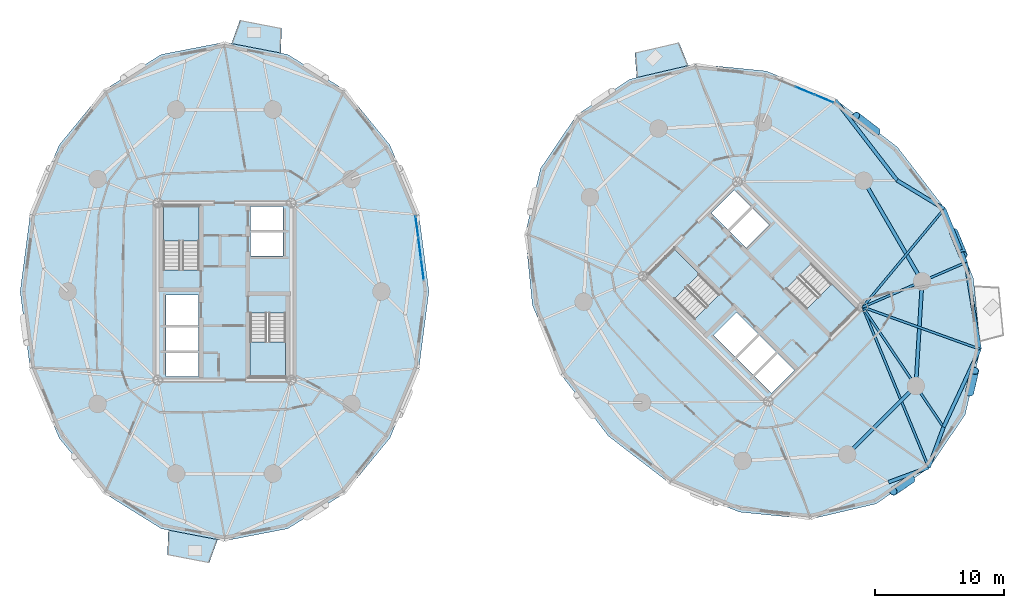
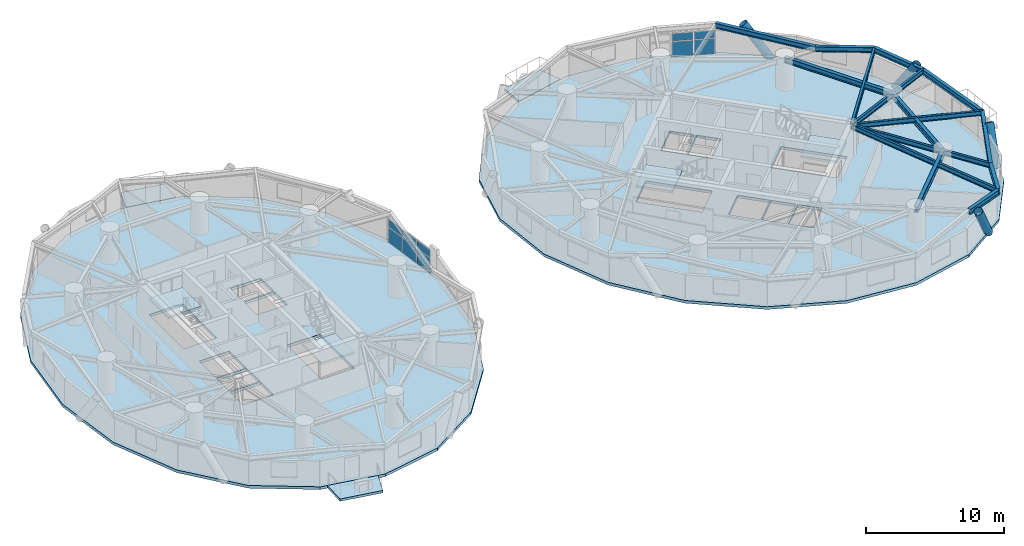
# One storey, part 7 of 17: 15 beams, 10 plates, 9 slabs, 4 members, 6 elements without a shape of their own.
"""IFC4 building model written with IfcOpenShell, lengths in metres."""

from ifc_helpers import new_model, si_unit, direction, frame, origin, origin_2d, place, context, subcontext, project, spatial, polyline, rectangle, hollow_circle, i_section, outline, extrude, source, transform, mapped, material, layer, layer_set, material_profile, profile_set, type_object, element, aggregate, save


model = new_model("IFC4")

# Units and contexts
model_context = context("Model", 3, precision=1e-05, world=origin(), true_north=direction((0.0, 1.0)))
body_context = subcontext(model_context, "Body", "Model", "MODEL_VIEW")
ifc_project = project(units=[si_unit("LENGTHUNIT", "METRE"), si_unit("AREAUNIT", "SQUARE_METRE"), si_unit("VOLUMEUNIT", "CUBIC_METRE"), si_unit("PLANEANGLEUNIT", "RADIAN"), si_unit("MASSUNIT", "GRAM", prefix="KILO")], contexts=[model_context])

# Site, building, storey
site_placement = place(None, origin())
site = spatial("IfcSite", under=ifc_project, at=site_placement, CompositionType="ELEMENT")
building_placement = place(site_placement, origin())
building = spatial("IfcBuilding", under=site, at=building_placement, Name="Cununo Teusaquillo Station Towers", CompositionType="ELEMENT")
storey_placement = place(building_placement, frame((0.0, 0.0, 113.800048828125)))
storey = spatial("IfcBuildingStorey", under=building, at=storey_placement, Name="L36", CompositionType="ELEMENT", Elevation=113.800048828125)

# Beams
ifc_material_1 = material(Name="Steel ASTM A572 Grade 50", Category="steel")
ifc_material_profile_1 = material_profile(ifc_material_1, i_section(OverallWidth=0.180908203125, OverallDepth=0.4169921875, WebThickness=0.010986328125, FlangeThickness=0.018310546875, FilletRadius=0.012939453125, at=origin_2d()), Name="W16X57")
ifc_profile_set_1 = profile_set([ifc_material_profile_1], Name="Steel ASTM A572 Grade 50")
beam_type_1 = type_object("IfcBeamType", Name="BM-JOIST-1", PredefinedType="JOIST", material=ifc_profile_set_1)
beam_1_placement = place(storey_placement, frame((66.024169921875, 23.29443359375, 2.46142578125), z_axis=(0.380485864505, -0.924786735908, 0.0), x_axis=(0.924786735908, 0.380485864505, 0.0)))
element("IfcBeam", 1, at=beam_1_placement, inside=storey, type_object=beam_type_1, Name="L36 Tower B Radial Spandrel Joist V15", PredefinedType="JOIST", context=body_context, shape_type="SweptSolid", body=[
    extrude(i_section(OverallWidth=0.180908203125, OverallDepth=0.4169921875, WebThickness=0.010986328125, FlangeThickness=0.018310546875, FilletRadius=0.012939453125, at=origin_2d()), origin(), (0.0, 0.0, 1.0), 13.44580078125),
])
beam_2_placement = place(storey_placement, frame((66.024169921875, 23.29443359375, 2.46142578125), z_axis=(0.941082771055, -0.338176312038, 0.0), x_axis=(0.338176312038, 0.941082771055, 0.0)))
element("IfcBeam", 2, at=beam_2_placement, inside=storey, type_object=beam_type_1, Name="L36 Tower B Radial Spandrel Joist V17", PredefinedType="JOIST", context=body_context, shape_type="SweptSolid", body=[
    extrude(i_section(OverallWidth=0.180908203125, OverallDepth=0.4169921875, WebThickness=0.010986328125, FlangeThickness=0.018310546875, FilletRadius=0.012939453125, at=origin_2d()), origin(), (0.0, 0.0, 1.0), 9.646484375),
])
beam_3_placement = place(storey_placement, frame((66.024169921875, 23.29443359375, 2.46142578125), z_axis=(0.638372238196, 0.769727799615, 0.0), x_axis=(-0.769727799615, 0.638372238196, 0.0)))
element("IfcBeam", 3, at=beam_3_placement, inside=storey, type_object=beam_type_1, Name="L36 Tower B Radial Spandrel Joist V19", PredefinedType="JOIST", context=body_context, shape_type="SweptSolid", body=[
    extrude(i_section(OverallWidth=0.180908203125, OverallDepth=0.4169921875, WebThickness=0.010986328125, FlangeThickness=0.018310546875, FilletRadius=0.012939453125, at=origin_2d()), origin(), (0.0, 0.0, 1.0), 9.895263671875),
])
ifc_material_2 = material(Name="Steel ASTM A572 Grade 50", Category="steel")
ifc_material_profile_2 = material_profile(ifc_material_2, i_section(OverallWidth=0.180908203125, OverallDepth=0.4169921875, WebThickness=0.010986328125, FlangeThickness=0.018310546875, FilletRadius=0.012939453125, at=origin_2d()), Name="W16X57")
ifc_profile_set_2 = profile_set([ifc_material_profile_2], Name="Steel ASTM A572 Grade 50")
beam_type_2 = type_object("IfcBeamType", Name="BM-RAD-G2", PredefinedType="BEAM", material=ifc_profile_set_2)
beam_4_placement = place(storey_placement, frame((66.024169921875, 23.29443359375, 2.46142578125), z_axis=(0.558572297481, -0.82945583878, 0.0), x_axis=(0.82945583878, 0.558572297481, 0.0)))
element("IfcBeam", 4, at=beam_4_placement, inside=storey, type_object=beam_type_2, Name="L36 Tower B Continuous Overhanging Radial Girder 09", PredefinedType="BEAM", context=body_context, shape_type="SweptSolid", body=[
    extrude(i_section(OverallWidth=0.180908203125, OverallDepth=0.4169921875, WebThickness=0.010986328125, FlangeThickness=0.018310546875, FilletRadius=0.012939453125, at=origin_2d()), origin(), (0.0, 0.0, 1.0), 11.22998046875),
])
beam_5_placement = place(storey_placement, frame((66.024169921875, 23.29443359375, 2.46142578125), z_axis=(0.917654733344, 0.397378648609, 0.0), x_axis=(-0.397378648609, 0.917654733344, 0.0)))
element("IfcBeam", 5, at=beam_5_placement, inside=storey, type_object=beam_type_2, Name="L36 Tower B Continuous Overhanging Radial Girder 10", PredefinedType="BEAM", context=body_context, shape_type="SweptSolid", body=[
    extrude(i_section(OverallWidth=0.180908203125, OverallDepth=0.4169921875, WebThickness=0.010986328125, FlangeThickness=0.018310546875, FilletRadius=0.012939453125, at=origin_2d()), origin(), (0.0, 0.0, 1.0), 8.71484375),
])
ifc_material_3 = material(Name="Steel ASTM A572 Grade 50", Category="steel")
ifc_material_profile_3 = material_profile(ifc_material_3, i_section(OverallWidth=0.280029296875, OverallDepth=0.462890625, WebThickness=0.0107421875, FlangeThickness=0.017333984375, FilletRadius=0.013916015625, at=origin_2d()), Name="W18X76")
ifc_profile_set_3 = profile_set([ifc_material_profile_3], Name="Steel ASTM A572 Grade 50")
beam_type_3 = type_object("IfcBeamType", Name="BM-RING-Z2", PredefinedType="SPANDREL", material=ifc_profile_set_3)
beam_6_placement = place(storey_placement, frame((64.826904296875, 11.853759765625, 2.4384765625), z_axis=(0.707106781187, 0.707106781187, 0.0), x_axis=(-0.707106781187, 0.707106781187, 0.0)))
element("IfcBeam", 6, at=beam_6_placement, inside=storey, type_object=beam_type_3, Name="L36 Tower B Structural Column Ring Girder 08", PredefinedType="SPANDREL", context=body_context, shape_type="SweptSolid", body=[
    extrude(i_section(OverallWidth=0.280029296875, OverallDepth=0.462890625, WebThickness=0.0107421875, FlangeThickness=0.017333984375, FilletRadius=0.013916015625, at=origin_2d()), origin(), (0.0, 0.0, 1.0), 7.522705078125),
])
beam_7_placement = place(storey_placement, frame((70.146240234375, 17.173095703125, 2.4384765625), z_axis=(0.06012979176, 0.998190567048, 0.0), x_axis=(-0.998190567048, 0.06012979176, 0.0)))
element("IfcBeam", 7, at=beam_7_placement, inside=storey, type_object=beam_type_3, Name="L36 Tower B Structural Column Ring Girder 09", PredefinedType="SPANDREL", context=body_context, shape_type="SweptSolid", body=[
    extrude(i_section(OverallWidth=0.280029296875, OverallDepth=0.462890625, WebThickness=0.0107421875, FlangeThickness=0.017333984375, FilletRadius=0.013916015625, at=origin_2d()), origin(), (0.0, 0.0, 1.0), 8.132568359375),
])
beam_8_placement = place(storey_placement, frame((70.63525390625, 25.291015625, 2.4384765625), z_axis=(-0.501311121078, 0.865267103202, 0.0), x_axis=(-0.865267103202, -0.501311121078, 0.0)))
element("IfcBeam", 8, at=beam_8_placement, inside=storey, type_object=beam_type_3, Name="L36 Tower B Structural Column Ring Girder 10", PredefinedType="SPANDREL", context=body_context, shape_type="SweptSolid", body=[
    extrude(i_section(OverallWidth=0.280029296875, OverallDepth=0.462890625, WebThickness=0.0107421875, FlangeThickness=0.017333984375, FilletRadius=0.013916015625, at=origin_2d()), origin(), (0.0, 0.0, 1.0), 9.032958984375),
])
beam_9_placement = place(storey_placement, frame((68.694580078125, 33.12890625, 2.4384765625), z_axis=(-0.610100441726, 0.792324082056, 0.0), x_axis=(-0.792324082056, -0.610100441726, 0.0)))
element("IfcBeam", 9, at=beam_9_placement, inside=storey, type_object=beam_type_3, Name="L36 Tower B Spandrel Ring Beam 01", PredefinedType="SPANDREL", context=body_context, shape_type="SweptSolid", body=[
    extrude(i_section(OverallWidth=0.280029296875, OverallDepth=0.462890625, WebThickness=0.0107421875, FlangeThickness=0.017333984375, FilletRadius=0.013916015625, at=origin_2d()), origin(), (0.0, 0.0, 1.0), 7.84033203125),
])
for number, where, z_axis, x_axis, name in (
    (10, (68.020263671875, 9.703125, 2.4384765625), (0.937628334414, 0.347639333943, 0.0), (-0.347639333943, 0.937628334414, 0.0), "L36 Tower B Spandrel Ring Beam 15"),
    (11, (71.14013671875, 10.85986328125, 2.4384765625), (0.347639333943, 0.937628334414, 0.0), (-0.937628334414, 0.347639333943, 0.0), "L36 Tower B Spandrel Ring Beam 16"),
):
    element("IfcBeam", number, at=place(storey_placement, frame(where, z_axis=z_axis, x_axis=x_axis)), inside=storey, type_object=beam_type_3, Name=name, PredefinedType="SPANDREL", context=body_context, shape_type="SweptSolid", body=[
        extrude(i_section(OverallWidth=0.280029296875, OverallDepth=0.462890625, WebThickness=0.0107421875, FlangeThickness=0.017333984375, FilletRadius=0.013916015625, at=origin_2d()), origin(), (0.0, 0.0, 1.0), 3.327392578125),
    ])
beam_10_placement = place(storey_placement, frame((72.296875, 13.979736328125, 2.4384765625), z_axis=(0.420535961689, 0.907275870354, 0.0), x_axis=(-0.907275870354, 0.420535961689, 0.0)))
element("IfcBeam", 12, at=beam_10_placement, inside=storey, type_object=beam_type_3, Name="L36 Tower B Spandrel Ring Beam 17", PredefinedType="SPANDREL", context=body_context, shape_type="SweptSolid", body=[
    extrude(i_section(OverallWidth=0.280029296875, OverallDepth=0.462890625, WebThickness=0.0107421875, FlangeThickness=0.017333984375, FilletRadius=0.013916015625, at=origin_2d()), origin(), (0.0, 0.0, 1.0), 6.671142578125),
])
beam_11_placement = place(storey_placement, frame((75.102294921875, 20.0322265625, 2.4384765625), z_axis=(-0.158671232312, 0.987331474246, 0.0), x_axis=(-0.987331474246, -0.158671232312, 0.0)))
element("IfcBeam", 13, at=beam_11_placement, inside=storey, type_object=beam_type_3, Name="L36 Tower B Spandrel Ring Beam 18", PredefinedType="SPANDREL", context=body_context, shape_type="SweptSolid", body=[
    extrude(i_section(OverallWidth=0.280029296875, OverallDepth=0.462890625, WebThickness=0.0107421875, FlangeThickness=0.017333984375, FilletRadius=0.013916015625, at=origin_2d()), origin(), (0.0, 0.0, 1.0), 6.8115234375),
])
beam_12_placement = place(storey_placement, frame((74.021484375, 26.757568359375, 2.4384765625), z_axis=(-0.375042266631, 0.927007712072, 0.0), x_axis=(-0.927007712072, -0.375042266631, 0.0)))
element("IfcBeam", 14, at=beam_12_placement, inside=storey, type_object=beam_type_3, Name="L36 Tower B Spandrel Ring Beam 19", PredefinedType="SPANDREL", context=body_context, shape_type="SweptSolid", body=[
    extrude(i_section(OverallWidth=0.280029296875, OverallDepth=0.462890625, WebThickness=0.0107421875, FlangeThickness=0.017333984375, FilletRadius=0.013916015625, at=origin_2d()), origin(), (0.0, 0.0, 1.0), 4.480712890625),
])
beam_13_placement = place(storey_placement, frame((72.341064453125, 30.9111328125, 2.4384765625), z_axis=(-0.854388492444, 0.519634779416, 0.0), x_axis=(-0.519634779416, -0.854388492444, 0.0)))
element("IfcBeam", 15, at=beam_13_placement, inside=storey, type_object=beam_type_3, Name="L36 Tower B Spandrel Ring Beam 20", PredefinedType="SPANDREL", context=body_context, shape_type="SweptSolid", body=[
    extrude(i_section(OverallWidth=0.280029296875, OverallDepth=0.462890625, WebThickness=0.0107421875, FlangeThickness=0.017333984375, FilletRadius=0.013916015625, at=origin_2d()), origin(), (0.0, 0.0, 1.0), 4.26806640625),
])

# Members
ifc_material_4 = material(Name="Steel EN 10025-2 S355J2", Category="steel")
ifc_material_profile_4 = material_profile(ifc_material_4, hollow_circle(Radius=0.330078125, WallThickness=0.02490234375, at=origin_2d()), Name="CHS 660x25")
ifc_profile_set_4 = profile_set([ifc_material_profile_4], Name="Steel EN 10025-2 S355J2")
member_type = type_object("IfcMemberType", Name="MBR-DIAG-Z2", PredefinedType="BRACE", material=ifc_profile_set_4)
member_1_placement = place(storey_placement, frame((67.085693359375, 36.895751953125, -0.14013671875), z_axis=(-0.449277419576, 0.346044496653, 0.823652236442), x_axis=(-0.610205273886, -0.792243348803, 0.0)))
element("IfcMember", 16, at=member_1_placement, inside=storey, type_object=member_type, Name="L36 Tower B Folded-Zigzag Diagrid Tube C00", PredefinedType="BRACE", context=body_context, shape_type="SweptSolid", body=[
    extrude(hollow_circle(Radius=0.330078125, WallThickness=0.02490234375, at=origin_2d()), origin(), (0.0, 0.0, 1.0), 3.533203125),
])
member_2_placement = place(storey_placement, frame((69.7666015625, 9.931396484375, -0.14013671875), z_axis=(-0.410046606979, -0.277155057731, 0.868934320924), x_axis=(0.559991322854, -0.828498472134, 0.0)))
element("IfcMember", 17, at=member_2_placement, inside=storey, type_object=member_type, Name="L36 Tower B Folded-Zigzag Diagrid Tube C14", PredefinedType="BRACE", context=body_context, shape_type="SweptSolid", body=[
    extrude(hollow_circle(Radius=0.330078125, WallThickness=0.02490234375, at=origin_2d()), origin(), (0.0, 0.0, 1.0), 3.34912109375),
])
member_3_placement = place(storey_placement, frame((74.317626953125, 16.664306640625, -0.14013671875), z_axis=(0.115899426578, 0.497494862811, 0.859689586069), x_axis=(-0.973920299704, 0.226890391653, 0.0)))
element("IfcMember", 18, at=member_3_placement, inside=storey, type_object=member_type, Name="L36 Tower B Folded-Zigzag Diagrid Tube C16", PredefinedType="BRACE", context=body_context, shape_type="SweptSolid", body=[
    extrude(hollow_circle(Radius=0.330078125, WallThickness=0.02490234375, at=origin_2d()), origin(), (0.0, 0.0, 1.0), 3.385009765625),
])
member_4_placement = place(storey_placement, frame((73.07958984375, 29.114501953125, -0.14013671875), z_axis=(0.211081064796, -0.513432884221, 0.831764063593), x_axis=(0.924888817599, 0.380237656053, 0.0)))
element("IfcMember", 19, at=member_4_placement, inside=storey, type_object=member_type, Name="L36 Tower B Folded-Zigzag Diagrid Tube C18", PredefinedType="BRACE", context=body_context, shape_type="SweptSolid", body=[
    extrude(hollow_circle(Radius=0.330078125, WallThickness=0.02490234375, at=origin_2d()), origin(), (0.0, 0.0, 1.0), 3.498779296875),
])

# Slabs
ifc_material_5 = material(Name="Concrete C50/60", Category="concrete")
ifc_layer_1 = layer(ifc_material_5, 0.2099609375)
ifc_layer_set_1 = layer_set([ifc_layer_1], Name="Concrete C50/60")
slab_type_1 = type_object("IfcSlabType", Name="SLB-BAL-210", PredefinedType="FLOOR", material=ifc_layer_set_1)
slab_1_placement = place(storey_placement, frame((0.0, 0.0, -0.2099609375)))
element("IfcSlab", 20, at=slab_1_placement, inside=storey, type_object=slab_type_1, Name="L36 Tower A Sky Garden Terrace Slab 1", PredefinedType="FLOOR", context=body_context, shape_type="SweptSolid", body=[
    extrude(outline(polyline([(20.8623046875, 43.01220703125), (17.041015625, 43.75048828125), (17.69873046875, 45.573974609375), (20.930908203125, 44.94921875), (20.8623046875, 43.01220703125)])), origin(), (0.0, 0.0, 1.0), 0.2099609375),
])
slab_2_placement = place(storey_placement, frame((0.0, 0.0, -0.2099609375)))
element("IfcSlab", 21, at=slab_2_placement, inside=storey, type_object=slab_type_1, Name="L36 Tower A Tree Balcony Slab 2", PredefinedType="FLOOR", context=body_context, shape_type="SweptSolid", body=[
    extrude(outline(polyline([(12.1376953125, 5.98779296875), (15.958984375, 5.24951171875), (15.30126953125, 3.426025390625), (12.069091796875, 4.05078125), (12.1376953125, 5.98779296875)])), origin(), (0.0, 0.0, 1.0), 0.2099609375),
])
slab_3_placement = place(storey_placement, frame((0.0, 0.0, -0.2099609375)))
element("IfcSlab", 22, at=slab_3_placement, inside=storey, type_object=slab_type_1, Name="L36 Tower B Sky Garden Terrace Slab 1", PredefinedType="FLOOR", context=body_context, shape_type="SweptSolid", body=[
    extrude(outline(polyline([(52.486083984375, 42.04150390625), (48.4873046875, 41.1083984375), (48.344482421875, 43.04150390625), (51.7587890625, 43.83837890625), (52.486083984375, 42.04150390625)])), origin(), (0.0, 0.0, 1.0), 0.2099609375),
])

# Stair, slab
ifc_material_6 = material(Name="Concrete C50/60", Category="concrete")
stair_type = type_object("IfcStairType", Name="ST-TWR-1300", PredefinedType="HALF_TURN_STAIR", material=ifc_material_6)
stair_1_placement = place(storey_placement, origin())
stair_1 = element("IfcStair", 23, at=stair_1_placement, inside=storey, type_object=stair_type, Name="L36 Tower A Protected Core Exit Stair 1", PredefinedType="HALF_TURN_STAIR")
ifc_material_7 = material(Name="Concrete C50/60", Category="concrete")
ifc_layer_2 = layer(ifc_material_7, 0.199951171875)
ifc_layer_set_2 = layer_set([ifc_layer_2], Name="Concrete C50/60")
slab_type_2 = type_object("IfcSlabType", Name="SLB-STAIR-LND", PredefinedType="LANDING", material=ifc_layer_set_2)
slab_4_placement = place(storey_placement, frame((0.0, 0.0, 1.2548828125)))
slab_4 = element("IfcSlab", 24, at=slab_4_placement, type_object=slab_type_2, Name="ST-T1-1 landing 1", PredefinedType="LANDING", context=body_context, shape_type="SweptSolid", body=[
    extrude(outline(polyline([(14.52001953125, 28.409912109375), (14.52001953125, 31.159912109375), (11.760009765625, 31.159912109375), (11.760009765625, 28.409912109375), (14.52001953125, 28.409912109375)])), origin(), (0.0, 0.0, 1.0), 0.199951171875),
])
aggregate(stair_1, [slab_4])

stair_2_placement = place(storey_placement, origin())
stair_2 = element("IfcStair", 25, at=stair_2_placement, inside=storey, type_object=stair_type, Name="L36 Tower A Protected Core Exit Stair 2", PredefinedType="HALF_TURN_STAIR")
slab_5_placement = place(storey_placement, frame((0.0, 0.0, 1.2548828125)))
slab_5 = element("IfcSlab", 26, at=slab_5_placement, type_object=slab_type_2, Name="ST-T1-2 landing 1", PredefinedType="LANDING", context=body_context, shape_type="SweptSolid", body=[
    extrude(outline(polyline([(18.47998046875, 20.590087890625), (18.47998046875, 17.840087890625), (21.239990234375, 17.840087890625), (21.239990234375, 20.590087890625), (18.47998046875, 20.590087890625)])), origin(), (0.0, 0.0, 1.0), 0.199951171875),
])
aggregate(stair_2, [slab_5])

stair_3_placement = place(storey_placement, origin())
stair_3 = element("IfcStair", 27, at=stair_3_placement, inside=storey, type_object=stair_type, Name="L36 Tower B Protected Core Exit Stair 1", PredefinedType="HALF_TURN_STAIR")
slab_6_placement = place(storey_placement, frame((0.0, 0.0, 1.2548828125)))
slab_6 = element("IfcSlab", 28, at=slab_6_placement, type_object=slab_type_2, Name="ST-T2-1 landing 1", PredefinedType="LANDING", context=body_context, shape_type="SweptSolid", body=[
    extrude(outline(polyline([(53.335205078125, 25.86474609375), (51.390625, 27.809326171875), (49.43896484375, 25.857666015625), (51.383544921875, 23.9130859375), (53.335205078125, 25.86474609375)])), origin(), (0.0, 0.0, 1.0), 0.199951171875),
])
aggregate(stair_3, [slab_6])

stair_4_placement = place(storey_placement, origin())
stair_4 = element("IfcStair", 29, at=stair_4_placement, inside=storey, type_object=stair_type, Name="L36 Tower B Protected Core Exit Stair 2", PredefinedType="HALF_TURN_STAIR")
slab_7_placement = place(storey_placement, frame((0.0, 0.0, 1.2548828125)))
slab_7 = element("IfcSlab", 30, at=slab_7_placement, type_object=slab_type_2, Name="ST-T2-2 landing 1", PredefinedType="LANDING", context=body_context, shape_type="SweptSolid", body=[
    extrude(outline(polyline([(61.664794921875, 23.13525390625), (63.609375, 21.190673828125), (65.56103515625, 23.142333984375), (63.616455078125, 25.0869140625), (61.664794921875, 23.13525390625)])), origin(), (0.0, 0.0, 1.0), 0.199951171875),
])
aggregate(stair_4, [slab_7])

# Slabs
ifc_material_8 = material(Name="Concrete C40/50", Category="concrete")
ifc_layer_3 = layer(ifc_material_8, 0.239990234375)
ifc_layer_set_3 = layer_set([ifc_layer_3], Name="Concrete C40/50")
slab_type_3 = type_object("IfcSlabType", Name="SLB-Z2-240", PredefinedType="FLOOR", material=ifc_layer_set_3)
slab_8_placement = place(storey_placement, frame((0.0, 0.0, -0.239990234375)))
element("IfcSlab", 31, at=slab_8_placement, inside=storey, type_object=slab_type_3, Name="L36 Tower A Floor Slab", PredefinedType="FLOOR", context=body_context, shape_type="SweptSolid", body=[
    extrude(outline(polyline([(32.361083984375, 24.5), (31.584716796875, 30.4794921875), (29.331787109375, 35.87353515625), (25.822998046875, 40.154541015625), (21.4013671875, 42.90283203125), (16.5, 43.85009765625), (11.5986328125, 42.90283203125), (7.177001953125, 40.154541015625), (3.668212890625, 35.87353515625), (1.415283203125, 30.4794921875), (0.638916015625, 24.5), (1.415283203125, 18.5205078125), (3.668212890625, 13.12646484375), (7.177001953125, 8.845458984375), (11.5986328125, 6.09716796875), (16.5, 5.14990234375), (21.4013671875, 6.09716796875), (25.822998046875, 8.845458984375), (29.331787109375, 13.12646484375), (31.584716796875, 18.5205078125), (32.361083984375, 24.5)]), holes=[polyline([(14.52001953125, 26.176025390625), (14.52001953125, 31.159912109375), (11.760009765625, 31.159912109375), (11.760009765625, 26.176025390625), (14.52001953125, 26.176025390625)]), polyline([(18.47998046875, 22.823974609375), (18.47998046875, 17.840087890625), (21.239990234375, 17.840087890625), (21.239990234375, 22.823974609375), (18.47998046875, 22.823974609375)]), polyline([(11.949951171875, 21.85009765625), (14.47998046875, 21.85009765625), (14.47998046875, 24.25), (11.949951171875, 24.25), (11.949951171875, 21.85009765625)]), polyline([(11.949951171875, 17.89990234375), (14.47998046875, 17.89990234375), (14.47998046875, 19.75), (11.949951171875, 19.75), (11.949951171875, 17.89990234375)]), polyline([(11.949951171875, 19.89990234375), (14.47998046875, 19.89990234375), (14.47998046875, 21.75), (11.949951171875, 21.75), (11.949951171875, 19.89990234375)]), polyline([(18.52001953125, 27.25), (21.050048828125, 27.25), (21.050048828125, 29.10009765625), (18.52001953125, 29.10009765625), (18.52001953125, 27.25)]), polyline([(18.52001953125, 29.25), (21.050048828125, 29.25), (21.050048828125, 31.10009765625), (18.52001953125, 31.10009765625), (18.52001953125, 29.25)])]), origin(), (0.0, 0.0, 1.0), 0.239990234375),
])
slab_9_placement = place(storey_placement, frame((0.0, 0.0, -0.239990234375)))
element("IfcSlab", 32, at=slab_9_placement, inside=storey, type_object=slab_type_3, Name="L36 Tower B Floor Slab", PredefinedType="FLOOR", context=body_context, shape_type="SweptSolid", body=[
    extrude(outline(polyline([(68.71533203125, 35.71533203125), (63.938232421875, 39.39453125), (58.531005859375, 41.61572265625), (53.02294921875, 42.16162109375), (47.952880859375, 40.978515625), (43.8173828125, 38.1826171875), (41.021484375, 34.047119140625), (39.83837890625, 28.97705078125), (40.38427734375, 23.468994140625), (42.60546875, 18.061767578125), (46.28466796875, 13.28466796875), (51.061767578125, 9.60546875), (56.468994140625, 7.38427734375), (61.97705078125, 6.83837890625), (67.047119140625, 8.021484375), (71.1826171875, 10.8173828125), (73.978515625, 14.952880859375), (75.16162109375, 20.02294921875), (74.61572265625, 25.531005859375), (72.39453125, 30.938232421875), (68.71533203125, 35.71533203125)]), holes=[polyline([(54.914794921875, 24.28515625), (51.390625, 27.809326171875), (49.43896484375, 25.857666015625), (52.963134765625, 22.33349609375), (54.914794921875, 24.28515625)]), polyline([(60.085205078125, 24.71484375), (63.609375, 21.190673828125), (65.56103515625, 23.142333984375), (62.036865234375, 26.66650390625), (60.085205078125, 24.71484375)]), polyline([(56.156494140625, 19.40869140625), (57.945556640625, 21.19775390625), (56.248291015625, 22.89501953125), (54.45947265625, 21.10595703125), (56.156494140625, 19.40869140625)]), polyline([(58.94970703125, 16.61572265625), (60.738525390625, 18.40478515625), (59.430419921875, 19.712890625), (57.641357421875, 17.923828125), (58.94970703125, 16.61572265625)]), polyline([(57.535400390625, 18.030029296875), (59.32421875, 19.819091796875), (58.01611328125, 21.127197265625), (56.227294921875, 19.338134765625), (57.535400390625, 18.030029296875)]), polyline([(56.98388671875, 27.872802734375), (58.772705078125, 29.661865234375), (57.464599609375, 30.969970703125), (55.67578125, 29.180908203125), (56.98388671875, 27.872802734375)]), polyline([(55.569580078125, 29.287109375), (57.358642578125, 31.076171875), (56.05029296875, 32.38427734375), (54.261474609375, 30.59521484375), (55.569580078125, 29.287109375)])]), origin(), (0.0, 0.0, 1.0), 0.239990234375),
])

# Curtain wall, plates
ifc_material_9 = material(Name="Ceramic-fritted dark low-E double glazing", Category="glass")
ifc_layer_4 = layer(ifc_material_9, 0.179931640625)
ifc_layer_set_4 = layer_set([ifc_layer_4], Name="Ceramic-fritted dark low-E double glazing")
curtain_wall_type = type_object("IfcCurtainWallType", Name="CW-SYS-04", PredefinedType="USERDEFINED", material=ifc_layer_set_4)
curtain_wall_1_placement = place(storey_placement, origin())
curtain_wall_1 = element("IfcCurtainWall", 33, at=curtain_wall_1_placement, inside=storey, type_object=curtain_wall_type, Name="L36 Tower A Facade Curtain Wall C00", ObjectType="FRITTED GLAZING", PredefinedType="USERDEFINED")
ifc_material_10 = material(Name="Ceramic-fritted dark low-E double glazing", Category="glass")
ifc_layer_5 = layer(ifc_material_10, 0.028076171875)
ifc_layer_set_5 = layer_set([ifc_layer_5], Name="Ceramic-fritted dark low-E double glazing")
plate_type = type_object("IfcPlateType", Name="CWP-FRIT-28", PredefinedType="CURTAIN_PANEL", material=ifc_layer_set_5)
shared_shape_1 = source(origin(), body_context, "Body", "SweptSolid", [
    extrude(rectangle(XDim=1.59228515625, YDim=0.028076171875, at=origin_2d()), origin(), (0.0, 0.0, 1.0), 1.31103515625),
])
plate_1_placement = place(storey_placement, frame((31.429443359375, 29.533935546875, 0.06982421875), z_axis=(0.0, 0.0, 1.0), x_axis=(0.128335852387, -0.991730764367, 0.0)))
plate_1 = element("IfcPlate", 34, at=plate_1_placement, type_object=plate_type, Name="CW-04 panel 1.1", PredefinedType="CURTAIN_PANEL", context=body_context, shape_type="MappedRepresentation", body=[
    mapped(shared_shape_1, transform((0.0, 0.0, 0.0), x_axis=(1.0, 0.0, 0.0), y_axis=(0.0, 1.0, 0.0), z_axis=(0.0, 0.0, 1.0), scale=1.0)),
])
plate_2_placement = place(storey_placement, frame((31.86083984375, 26.201904296875, 0.06982421875), z_axis=(0.0, 0.0, 1.0), x_axis=(0.128335852387, -0.991730764367, 0.0)))
plate_2 = element("IfcPlate", 35, at=plate_2_placement, type_object=plate_type, Name="CW-04 panel 3.1", PredefinedType="CURTAIN_PANEL", context=body_context, shape_type="MappedRepresentation", body=[
    mapped(shared_shape_1, transform((0.0, 0.0, 0.0), x_axis=(1.0, 0.0, 0.0), y_axis=(0.0, 1.0, 0.0), z_axis=(0.0, 0.0, 1.0), scale=1.0)),
])
shared_shape_2 = source(origin(), body_context, "Body", "SweptSolid", [
    extrude(rectangle(XDim=1.59228515625, YDim=0.028076171875, at=origin_2d()), origin(), (0.0, 0.0, 1.0), 0.657958984375),
])
plate_3_placement = place(storey_placement, frame((31.429443359375, 29.533935546875, 1.451171875), z_axis=(0.0, 0.0, 1.0), x_axis=(0.128335852387, -0.991730764367, 0.0)))
plate_3 = element("IfcPlate", 36, at=plate_3_placement, type_object=plate_type, Name="CW-04 panel 1.2", PredefinedType="CURTAIN_PANEL", context=body_context, shape_type="MappedRepresentation", body=[
    mapped(shared_shape_2, transform((0.0, 0.0, 0.0), x_axis=(1.0, 0.0, 0.0), y_axis=(0.0, 1.0, 0.0), z_axis=(0.0, 0.0, 1.0), scale=1.0)),
])
plate_4_placement = place(storey_placement, frame((31.86083984375, 26.201904296875, 1.451171875), z_axis=(0.0, 0.0, 1.0), x_axis=(0.128335852387, -0.991730764367, 0.0)))
plate_4 = element("IfcPlate", 37, at=plate_4_placement, type_object=plate_type, Name="CW-04 panel 3.2", PredefinedType="CURTAIN_PANEL", context=body_context, shape_type="MappedRepresentation", body=[
    mapped(shared_shape_2, transform((0.0, 0.0, 0.0), x_axis=(1.0, 0.0, 0.0), y_axis=(0.0, 1.0, 0.0), z_axis=(0.0, 0.0, 1.0), scale=1.0)),
])
shared_shape_3 = source(origin(), body_context, "Body", "SweptSolid", [
    extrude(rectangle(XDim=1.62744140625, YDim=0.028076171875, at=origin_2d()), origin(), (0.0, 0.0, 1.0), 1.31103515625),
])
plate_5_placement = place(storey_placement, frame((31.645263671875, 27.867919921875, 0.06982421875), z_axis=(0.0, 0.0, 1.0), x_axis=(0.128335852387, -0.991730764367, 0.0)))
plate_5 = element("IfcPlate", 38, at=plate_5_placement, type_object=plate_type, Name="CW-04 panel 2.1", PredefinedType="CURTAIN_PANEL", context=body_context, shape_type="MappedRepresentation", body=[
    mapped(shared_shape_3, transform((0.0, 0.0, 0.0), x_axis=(1.0, 0.0, 0.0), y_axis=(0.0, 1.0, 0.0), z_axis=(0.0, 0.0, 1.0), scale=1.0)),
])
shared_shape_4 = source(origin(), body_context, "Body", "SweptSolid", [
    extrude(rectangle(XDim=1.62744140625, YDim=0.028076171875, at=origin_2d()), origin(), (0.0, 0.0, 1.0), 0.657958984375),
])
plate_6_placement = place(storey_placement, frame((31.645263671875, 27.867919921875, 1.451171875), z_axis=(0.0, 0.0, 1.0), x_axis=(0.128335852387, -0.991730764367, 0.0)))
plate_6 = element("IfcPlate", 39, at=plate_6_placement, type_object=plate_type, Name="CW-04 panel 2.2", PredefinedType="CURTAIN_PANEL", context=body_context, shape_type="MappedRepresentation", body=[
    mapped(shared_shape_4, transform((0.0, 0.0, 0.0), x_axis=(1.0, 0.0, 0.0), y_axis=(0.0, 1.0, 0.0), z_axis=(0.0, 0.0, 1.0), scale=1.0)),
])
aggregate(curtain_wall_1, [plate_1, plate_3, plate_5, plate_6, plate_2, plate_4])

curtain_wall_2_placement = place(storey_placement, origin())
curtain_wall_2 = element("IfcCurtainWall", 40, at=curtain_wall_2_placement, inside=storey, type_object=curtain_wall_type, Name="L36 Tower B Facade Curtain Wall C01", ObjectType="FRITTED GLAZING", PredefinedType="USERDEFINED")
shared_shape_5 = source(origin(), body_context, "Body", "SweptSolid", [
    extrude(rectangle(XDim=1.531005859375, YDim=0.028076171875, at=origin_2d()), origin(), (0.0, 0.0, 1.0), 1.31103515625),
])
plate_7_placement = place(storey_placement, frame((63.03857421875, 39.463623046875, 0.06982421875), z_axis=(0.0, 0.0, 1.0), x_axis=(0.924562443652, -0.381030560176, 0.0)))
plate_7 = element("IfcPlate", 41, at=plate_7_placement, type_object=plate_type, Name="CW-04 panel 3.1", PredefinedType="CURTAIN_PANEL", context=body_context, shape_type="MappedRepresentation", body=[
    mapped(shared_shape_5, transform((0.0, 0.0, 0.0), x_axis=(1.0, 0.0, 0.0), y_axis=(0.0, 1.0, 0.0), z_axis=(0.0, 0.0, 1.0), scale=1.0)),
])
shared_shape_6 = source(origin(), body_context, "Body", "SweptSolid", [
    extrude(rectangle(XDim=1.531005859375, YDim=0.028076171875, at=origin_2d()), origin(), (0.0, 0.0, 1.0), 0.657958984375),
])
plate_8_placement = place(storey_placement, frame((63.03857421875, 39.463623046875, 1.451171875), z_axis=(0.0, 0.0, 1.0), x_axis=(0.924562443652, -0.381030560176, 0.0)))
plate_8 = element("IfcPlate", 42, at=plate_8_placement, type_object=plate_type, Name="CW-04 panel 3.2", PredefinedType="CURTAIN_PANEL", context=body_context, shape_type="MappedRepresentation", body=[
    mapped(shared_shape_6, transform((0.0, 0.0, 0.0), x_axis=(1.0, 0.0, 0.0), y_axis=(0.0, 1.0, 0.0), z_axis=(0.0, 0.0, 1.0), scale=1.0)),
])
shared_shape_7 = source(origin(), body_context, "Body", "SweptSolid", [
    extrude(rectangle(XDim=1.566162109375, YDim=0.028076171875, at=origin_2d()), origin(), (0.0, 0.0, 1.0), 1.31103515625),
])
plate_9_placement = place(storey_placement, frame((61.542236328125, 40.080322265625, 0.06982421875), z_axis=(0.0, 0.0, 1.0), x_axis=(0.924562443652, -0.381030560176, 0.0)))
plate_9 = element("IfcPlate", 43, at=plate_9_placement, type_object=plate_type, Name="CW-04 panel 2.1", PredefinedType="CURTAIN_PANEL", context=body_context, shape_type="MappedRepresentation", body=[
    mapped(shared_shape_7, transform((0.0, 0.0, 0.0), x_axis=(1.0, 0.0, 0.0), y_axis=(0.0, 1.0, 0.0), z_axis=(0.0, 0.0, 1.0), scale=1.0)),
])
shared_shape_8 = source(origin(), body_context, "Body", "SweptSolid", [
    extrude(rectangle(XDim=1.566162109375, YDim=0.028076171875, at=origin_2d()), origin(), (0.0, 0.0, 1.0), 0.657958984375),
])
plate_10_placement = place(storey_placement, frame((61.542236328125, 40.080322265625, 1.451171875), z_axis=(0.0, 0.0, 1.0), x_axis=(0.924562443652, -0.381030560176, 0.0)))
plate_10 = element("IfcPlate", 44, at=plate_10_placement, type_object=plate_type, Name="CW-04 panel 2.2", PredefinedType="CURTAIN_PANEL", context=body_context, shape_type="MappedRepresentation", body=[
    mapped(shared_shape_8, transform((0.0, 0.0, 0.0), x_axis=(1.0, 0.0, 0.0), y_axis=(0.0, 1.0, 0.0), z_axis=(0.0, 0.0, 1.0), scale=1.0)),
])
aggregate(curtain_wall_2, [plate_9, plate_10, plate_7, plate_8])

save(model, "model.ifc")
